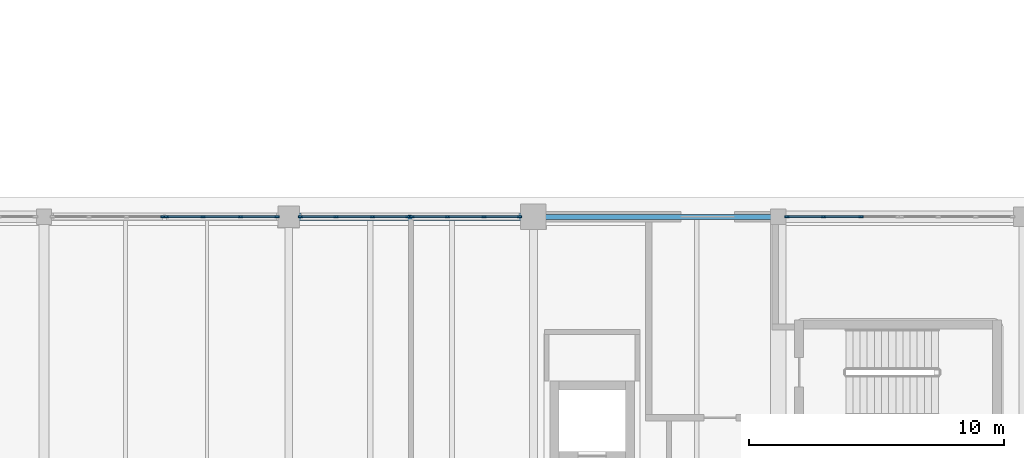
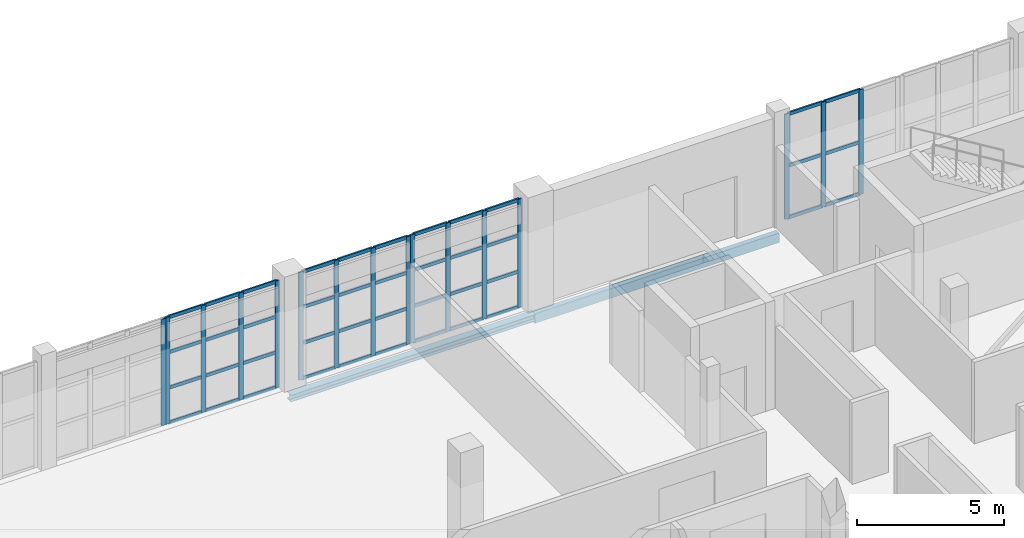
# One storey, part 26 of 121: 58 members, 2 beams, 5 elements without a shape of their own.
"""IFC4 building model written with IfcOpenShell, lengths in metres."""

from ifc_helpers import new_model, si_unit, direction, frame, origin, origin_2d, place, context, subcontext, project, spatial, rectangle, hollow_rectangle, i_section, extrude, material, layer, layer_set, material_profile, profile_set, type_object, element, aggregate, save


model = new_model("IFC4")

# Units and contexts
model_context = context("Model", 3, precision=1e-05, world=origin(), true_north=direction((0.0, 1.0)))
body_context = subcontext(model_context, "Body", "Model", "MODEL_VIEW")
ifc_project = project(units=[si_unit("LENGTHUNIT", "METRE"), si_unit("AREAUNIT", "SQUARE_METRE"), si_unit("VOLUMEUNIT", "CUBIC_METRE"), si_unit("PLANEANGLEUNIT", "RADIAN"), si_unit("MASSUNIT", "GRAM", prefix="KILO")], contexts=[model_context])

# Site, building, storey
site_placement = place(None, origin())
site = spatial("IfcSite", under=ifc_project, at=site_placement, CompositionType="ELEMENT")
building_placement = place(site_placement, origin())
building = spatial("IfcBuilding", under=site, at=building_placement, Name="Zereglee Splitstone Museum", CompositionType="ELEMENT")
storey_placement = place(building_placement, origin())
storey = spatial("IfcBuildingStorey", under=building, at=storey_placement, Name="L00", CompositionType="ELEMENT", Elevation=0.0)

# Curtain wall, members
ifc_material_1 = material(Name="Triple-glazed low-E argon glass and bronze-anodised aluminium", Category="aluminium")
ifc_layer_1 = layer(ifc_material_1, 0.179931640625)
ifc_layer_set_1 = layer_set([ifc_layer_1], Name="Triple-glazed low-E argon glass and bronze-anodised aluminium")
curtain_wall_type_1 = type_object("IfcCurtainWallType", Name="CW-0441-436", PredefinedType="USERDEFINED", material=ifc_layer_set_1)
curtain_wall_1_placement = place(storey_placement, origin())
curtain_wall_1 = element("IfcCurtainWall", 1, at=curtain_wall_1_placement, inside=storey, type_object=curtain_wall_type_1, Name="Glazed Curtain Wall CW-0441-436 (L00)", ObjectType="GLAZED CURTAIN WALL", PredefinedType="USERDEFINED")
ifc_material_2 = material(Name="Thermally broken bronze-anodised aluminium", Category="aluminium")
ifc_material_profile_1 = material_profile(ifc_material_2, rectangle(XDim=0.06494140625, YDim=0.179931640625, at=origin_2d()), Name="CW MULL 65x180")
ifc_profile_set_1 = profile_set([ifc_material_profile_1], Name="Thermally broken bronze-anodised aluminium")
member_type_1 = type_object("IfcMemberType", Name="CWM-01", PredefinedType="MULLION", material=ifc_profile_set_1)
member_1_placement = place(storey_placement, frame((129.2509765625, 50.39990234375, 0.0), z_axis=(0.0, 0.0, 1.0), x_axis=(0.0, -1.0, 0.0)))
member_1 = element("IfcMember", 2, at=member_1_placement, type_object=member_type_1, Name="CW-0441-436 mullion 2", PredefinedType="MULLION", context=body_context, shape_type="SweptSolid", body=[
    extrude(rectangle(XDim=0.06494140625, YDim=0.179931640625, at=origin_2d()), origin(), (0.0, 0.0, 1.0), 4.360107421875),
])
member_2_placement = place(storey_placement, frame((127.779541015625, 50.39990234375, 0.0), z_axis=(0.0, 0.0, 1.0), x_axis=(0.0, -1.0, 0.0)))
member_2 = element("IfcMember", 3, at=member_2_placement, type_object=member_type_1, Name="CW-0441-436 mullion 3", PredefinedType="MULLION", context=body_context, shape_type="SweptSolid", body=[
    extrude(rectangle(XDim=0.06494140625, YDim=0.179931640625, at=origin_2d()), origin(), (0.0, 0.0, 1.0), 4.360107421875),
])
member_3_placement = place(storey_placement, frame((126.340576171875, 50.39990234375, 0.0), z_axis=(0.0, 0.0, 1.0), x_axis=(0.0, -1.0, 0.0)))
member_3 = element("IfcMember", 4, at=member_3_placement, type_object=member_type_1, Name="CW-0441-436 mullion 4", PredefinedType="MULLION", context=body_context, shape_type="SweptSolid", body=[
    extrude(rectangle(XDim=0.06494140625, YDim=0.179931640625, at=origin_2d()), origin(), (0.0, 0.0, 1.0), 4.360107421875),
])

ifc_layer_2 = layer(ifc_material_1, 0.179931640625)
ifc_layer_set_2 = layer_set([ifc_layer_2], Name="Triple-glazed low-E argon glass and bronze-anodised aluminium")
curtain_wall_type_2 = type_object("IfcCurtainWallType", Name="CW-0429-450", PredefinedType="USERDEFINED", material=ifc_layer_set_2)
curtain_wall_2_placement = place(storey_placement, origin())
curtain_wall_2 = element("IfcCurtainWall", 5, at=curtain_wall_2_placement, inside=storey, type_object=curtain_wall_type_2, Name="Glazed Curtain Wall CW-0429-450 (L00)", ObjectType="GLAZED CURTAIN WALL", PredefinedType="USERDEFINED")
member_4_placement = place(storey_placement, frame((115.859619140625, 50.39990234375, 0.0), z_axis=(0.0, 0.0, 1.0), x_axis=(0.0, -1.0, 0.0)))
member_4 = element("IfcMember", 6, at=member_4_placement, type_object=member_type_1, Name="CW-0429-450 mullion 1", PredefinedType="MULLION", context=body_context, shape_type="SweptSolid", body=[
    extrude(rectangle(XDim=0.06494140625, YDim=0.179931640625, at=origin_2d()), origin(), (0.0, 0.0, 1.0), 4.5),
])
member_5_placement = place(storey_placement, frame((114.462158203125, 50.39990234375, 0.0), z_axis=(0.0, 0.0, 1.0), x_axis=(0.0, -1.0, 0.0)))
member_5 = element("IfcMember", 7, at=member_5_placement, type_object=member_type_1, Name="CW-0429-450 mullion 2", PredefinedType="MULLION", context=body_context, shape_type="SweptSolid", body=[
    extrude(rectangle(XDim=0.06494140625, YDim=0.179931640625, at=origin_2d()), origin(), (0.0, 0.0, 1.0), 4.5),
])
member_6_placement = place(storey_placement, frame((113.0322265625, 50.39990234375, 0.0), z_axis=(0.0, 0.0, 1.0), x_axis=(0.0, -1.0, 0.0)))
member_6 = element("IfcMember", 8, at=member_6_placement, type_object=member_type_1, Name="CW-0429-450 mullion 3", PredefinedType="MULLION", context=body_context, shape_type="SweptSolid", body=[
    extrude(rectangle(XDim=0.06494140625, YDim=0.179931640625, at=origin_2d()), origin(), (0.0, 0.0, 1.0), 4.5),
])
member_7_placement = place(storey_placement, frame((111.635009765625, 50.39990234375, 0.0), z_axis=(0.0, 0.0, 1.0), x_axis=(0.0, -1.0, 0.0)))
member_7 = element("IfcMember", 9, at=member_7_placement, type_object=member_type_1, Name="CW-0429-450 mullion 4", PredefinedType="MULLION", context=body_context, shape_type="SweptSolid", body=[
    extrude(rectangle(XDim=0.06494140625, YDim=0.179931640625, at=origin_2d()), origin(), (0.0, 0.0, 1.0), 4.5),
])

ifc_layer_3 = layer(ifc_material_1, 0.179931640625)
ifc_layer_set_3 = layer_set([ifc_layer_3], Name="Triple-glazed low-E argon glass and bronze-anodised aluminium")
curtain_wall_type_3 = type_object("IfcCurtainWallType", Name="CW-0429-448", PredefinedType="USERDEFINED", material=ifc_layer_set_3)
curtain_wall_3_placement = place(storey_placement, origin())
curtain_wall_3 = element("IfcCurtainWall", 10, at=curtain_wall_3_placement, inside=storey, type_object=curtain_wall_type_3, Name="Glazed Curtain Wall CW-0429-448 (L00)", ObjectType="GLAZED CURTAIN WALL", PredefinedType="USERDEFINED")
member_8_placement = place(storey_placement, frame((111.489990234375, 50.39990234375, 0.0), z_axis=(0.0, 0.0, 1.0), x_axis=(0.0, -1.0, 0.0)))
member_8 = element("IfcMember", 11, at=member_8_placement, type_object=member_type_1, Name="CW-0429-448 mullion 1", PredefinedType="MULLION", context=body_context, shape_type="SweptSolid", body=[
    extrude(rectangle(XDim=0.06494140625, YDim=0.179931640625, at=origin_2d()), origin(), (0.0, 0.0, 1.0), 4.47998046875),
])
member_9_placement = place(storey_placement, frame((110.0927734375, 50.39990234375, 0.0), z_axis=(0.0, 0.0, 1.0), x_axis=(0.0, -1.0, 0.0)))
member_9 = element("IfcMember", 12, at=member_9_placement, type_object=member_type_1, Name="CW-0429-448 mullion 2", PredefinedType="MULLION", context=body_context, shape_type="SweptSolid", body=[
    extrude(rectangle(XDim=0.06494140625, YDim=0.179931640625, at=origin_2d()), origin(), (0.0, 0.0, 1.0), 4.47998046875),
])
member_10_placement = place(storey_placement, frame((108.662841796875, 50.39990234375, 0.0), z_axis=(0.0, 0.0, 1.0), x_axis=(0.0, -1.0, 0.0)))
member_10 = element("IfcMember", 13, at=member_10_placement, type_object=member_type_1, Name="CW-0429-448 mullion 3", PredefinedType="MULLION", context=body_context, shape_type="SweptSolid", body=[
    extrude(rectangle(XDim=0.06494140625, YDim=0.179931640625, at=origin_2d()), origin(), (0.0, 0.0, 1.0), 4.47998046875),
])
member_11_placement = place(storey_placement, frame((107.265380859375, 50.39990234375, 0.0), z_axis=(0.0, 0.0, 1.0), x_axis=(0.0, -1.0, 0.0)))
member_11 = element("IfcMember", 14, at=member_11_placement, type_object=member_type_1, Name="CW-0429-448 mullion 4", PredefinedType="MULLION", context=body_context, shape_type="SweptSolid", body=[
    extrude(rectangle(XDim=0.06494140625, YDim=0.179931640625, at=origin_2d()), origin(), (0.0, 0.0, 1.0), 4.47998046875),
])

ifc_layer_4 = layer(ifc_material_1, 0.179931640625)
ifc_layer_set_4 = layer_set([ifc_layer_4], Name="Triple-glazed low-E argon glass and bronze-anodised aluminium")
curtain_wall_type_4 = type_object("IfcCurtainWallType", Name="CW-0439-444", PredefinedType="USERDEFINED", material=ifc_layer_set_4)
curtain_wall_4_placement = place(storey_placement, origin())
curtain_wall_4 = element("IfcCurtainWall", 15, at=curtain_wall_4_placement, inside=storey, type_object=curtain_wall_type_4, Name="Glazed Curtain Wall CW-0439-444 (L00)", ObjectType="GLAZED CURTAIN WALL", PredefinedType="USERDEFINED")
member_12_placement = place(storey_placement, frame((106.33447265625, 50.39990234375, 0.0), z_axis=(0.0, 0.0, 1.0), x_axis=(0.0, -1.0, 0.0)))
member_12 = element("IfcMember", 16, at=member_12_placement, type_object=member_type_1, Name="CW-0439-444 mullion 1", PredefinedType="MULLION", context=body_context, shape_type="SweptSolid", body=[
    extrude(rectangle(XDim=0.06494140625, YDim=0.179931640625, at=origin_2d()), origin(), (0.0, 0.0, 1.0), 4.43994140625),
])
member_13_placement = place(storey_placement, frame((104.90380859375, 50.39990234375, 0.0), z_axis=(0.0, 0.0, 1.0), x_axis=(0.0, -1.0, 0.0)))
member_13 = element("IfcMember", 17, at=member_13_placement, type_object=member_type_1, Name="CW-0439-444 mullion 2", PredefinedType="MULLION", context=body_context, shape_type="SweptSolid", body=[
    extrude(rectangle(XDim=0.06494140625, YDim=0.179931640625, at=origin_2d()), origin(), (0.0, 0.0, 1.0), 4.43994140625),
])
member_14_placement = place(storey_placement, frame((103.440673828125, 50.39990234375, 0.0), z_axis=(0.0, 0.0, 1.0), x_axis=(0.0, -1.0, 0.0)))
member_14 = element("IfcMember", 18, at=member_14_placement, type_object=member_type_1, Name="CW-0439-444 mullion 3", PredefinedType="MULLION", context=body_context, shape_type="SweptSolid", body=[
    extrude(rectangle(XDim=0.06494140625, YDim=0.179931640625, at=origin_2d()), origin(), (0.0, 0.0, 1.0), 4.43994140625),
])
member_15_placement = place(storey_placement, frame((102.010009765625, 50.39990234375, 0.0), z_axis=(0.0, 0.0, 1.0), x_axis=(0.0, -1.0, 0.0)))
member_15 = element("IfcMember", 19, at=member_15_placement, type_object=member_type_1, Name="CW-0439-444 mullion 4", PredefinedType="MULLION", context=body_context, shape_type="SweptSolid", body=[
    extrude(rectangle(XDim=0.06494140625, YDim=0.179931640625, at=origin_2d()), origin(), (0.0, 0.0, 1.0), 4.43994140625),
])

# Curtain wall, member
ifc_layer_5 = layer(ifc_material_1, 0.179931640625)
ifc_layer_set_5 = layer_set([ifc_layer_5], Name="Triple-glazed low-E argon glass and bronze-anodised aluminium")
curtain_wall_type_5 = type_object("IfcCurtainWallType", Name="CW-0439-442", PredefinedType="USERDEFINED", material=ifc_layer_set_5)
curtain_wall_5_placement = place(storey_placement, origin())
curtain_wall_5 = element("IfcCurtainWall", 20, at=curtain_wall_5_placement, inside=storey, type_object=curtain_wall_type_5, Name="Glazed Curtain Wall CW-0439-442 (L00)", ObjectType="GLAZED CURTAIN WALL", PredefinedType="USERDEFINED")
member_16_placement = place(storey_placement, frame((101.864990234375, 50.39990234375, 0.0), z_axis=(0.0, 0.0, 1.0), x_axis=(0.0, -1.0, 0.0)))
member_16 = element("IfcMember", 21, at=member_16_placement, type_object=member_type_1, Name="CW-0439-442 mullion 1", PredefinedType="MULLION", context=body_context, shape_type="SweptSolid", body=[
    extrude(rectangle(XDim=0.06494140625, YDim=0.179931640625, at=origin_2d()), origin(), (0.0, 0.0, 1.0), 4.419921875),
])
aggregate(curtain_wall_5, [member_16])

# Member
ifc_material_profile_2 = material_profile(ifc_material_2, rectangle(XDim=0.06494140625, YDim=0.139892578125, at=origin_2d()), Name="CW TRAN 65x140")
ifc_profile_set_2 = profile_set([ifc_material_profile_2], Name="Thermally broken bronze-anodised aluminium")
member_type_2 = type_object("IfcMemberType", Name="CWT-01", PredefinedType="USERDEFINED", material=ifc_profile_set_2)
member_17_placement = place(storey_placement, frame((129.218505859375, 50.39990234375, 0.032470703125), z_axis=(-1.0, 0.0, 0.0), x_axis=(0.0, -1.0, 0.0)))
member_17 = element("IfcMember", 22, at=member_17_placement, type_object=member_type_2, Name="CW-0441-436 transom 2.1", ObjectType="TRANSOM", PredefinedType="USERDEFINED", context=body_context, shape_type="SweptSolid", body=[
    extrude(rectangle(XDim=0.06494140625, YDim=0.139892578125, at=origin_2d()), origin(), (0.0, 0.0, 1.0), 1.406494140625),
])

member_18_placement = place(storey_placement, frame((129.218505859375, 50.39990234375, 2.179931640625), z_axis=(-1.0, 0.0, 0.0), x_axis=(0.0, -1.0, 0.0)))
member_18 = element("IfcMember", 23, at=member_18_placement, type_object=member_type_2, Name="CW-0441-436 transom 2.2", ObjectType="TRANSOM", PredefinedType="USERDEFINED", context=body_context, shape_type="SweptSolid", body=[
    extrude(rectangle(XDim=0.06494140625, YDim=0.139892578125, at=origin_2d()), origin(), (0.0, 0.0, 1.0), 1.406494140625),
])

member_19_placement = place(storey_placement, frame((129.218505859375, 50.39990234375, 4.327392578125), z_axis=(-1.0, 0.0, 0.0), x_axis=(0.0, -1.0, 0.0)))
member_19 = element("IfcMember", 24, at=member_19_placement, type_object=member_type_2, Name="CW-0441-436 transom 2.3", ObjectType="TRANSOM", PredefinedType="USERDEFINED", context=body_context, shape_type="SweptSolid", body=[
    extrude(rectangle(XDim=0.06494140625, YDim=0.139892578125, at=origin_2d()), origin(), (0.0, 0.0, 1.0), 1.406494140625),
])

member_20_placement = place(storey_placement, frame((127.7470703125, 50.39990234375, 0.032470703125), z_axis=(-1.0, 0.0, 0.0), x_axis=(0.0, -1.0, 0.0)))
member_20 = element("IfcMember", 25, at=member_20_placement, type_object=member_type_2, Name="CW-0441-436 transom 3.1", ObjectType="TRANSOM", PredefinedType="USERDEFINED", context=body_context, shape_type="SweptSolid", body=[
    extrude(rectangle(XDim=0.06494140625, YDim=0.139892578125, at=origin_2d()), origin(), (0.0, 0.0, 1.0), 1.3740234375),
])

member_21_placement = place(storey_placement, frame((127.7470703125, 50.39990234375, 2.179931640625), z_axis=(-1.0, 0.0, 0.0), x_axis=(0.0, -1.0, 0.0)))
member_21 = element("IfcMember", 26, at=member_21_placement, type_object=member_type_2, Name="CW-0441-436 transom 3.2", ObjectType="TRANSOM", PredefinedType="USERDEFINED", context=body_context, shape_type="SweptSolid", body=[
    extrude(rectangle(XDim=0.06494140625, YDim=0.139892578125, at=origin_2d()), origin(), (0.0, 0.0, 1.0), 1.3740234375),
])

member_22_placement = place(storey_placement, frame((127.7470703125, 50.39990234375, 4.327392578125), z_axis=(-1.0, 0.0, 0.0), x_axis=(0.0, -1.0, 0.0)))
member_22 = element("IfcMember", 27, at=member_22_placement, type_object=member_type_2, Name="CW-0441-436 transom 3.3", ObjectType="TRANSOM", PredefinedType="USERDEFINED", context=body_context, shape_type="SweptSolid", body=[
    extrude(rectangle(XDim=0.06494140625, YDim=0.139892578125, at=origin_2d()), origin(), (0.0, 0.0, 1.0), 1.3740234375),
])

aggregate(curtain_wall_1, [member_1, member_2, member_3, member_17, member_18, member_19, member_20, member_21, member_22])

member_23_placement = place(storey_placement, frame((115.826904296875, 50.39990234375, 0.032470703125), z_axis=(-1.0, 0.0, 0.0), x_axis=(0.0, -1.0, 0.0)))
member_23 = element("IfcMember", 28, at=member_23_placement, type_object=member_type_2, Name="CW-0429-450 transom 1.1", ObjectType="TRANSOM", PredefinedType="USERDEFINED", context=body_context, shape_type="SweptSolid", body=[
    extrude(rectangle(XDim=0.06494140625, YDim=0.139892578125, at=origin_2d()), origin(), (0.0, 0.0, 1.0), 1.332275390625),
])

member_24_placement = place(storey_placement, frame((115.826904296875, 50.39990234375, 1.5), z_axis=(-1.0, 0.0, 0.0), x_axis=(0.0, -1.0, 0.0)))
member_24 = element("IfcMember", 29, at=member_24_placement, type_object=member_type_2, Name="CW-0429-450 transom 1.2", ObjectType="TRANSOM", PredefinedType="USERDEFINED", context=body_context, shape_type="SweptSolid", body=[
    extrude(rectangle(XDim=0.06494140625, YDim=0.139892578125, at=origin_2d()), origin(), (0.0, 0.0, 1.0), 1.332275390625),
])

member_25_placement = place(storey_placement, frame((115.826904296875, 50.39990234375, 3.0), z_axis=(-1.0, 0.0, 0.0), x_axis=(0.0, -1.0, 0.0)))
member_25 = element("IfcMember", 30, at=member_25_placement, type_object=member_type_2, Name="CW-0429-450 transom 1.3", ObjectType="TRANSOM", PredefinedType="USERDEFINED", context=body_context, shape_type="SweptSolid", body=[
    extrude(rectangle(XDim=0.06494140625, YDim=0.139892578125, at=origin_2d()), origin(), (0.0, 0.0, 1.0), 1.332275390625),
])

member_26_placement = place(storey_placement, frame((115.826904296875, 50.39990234375, 4.467529296875), z_axis=(-1.0, 0.0, 0.0), x_axis=(0.0, -1.0, 0.0)))
member_26 = element("IfcMember", 31, at=member_26_placement, type_object=member_type_2, Name="CW-0429-450 transom 1.4", ObjectType="TRANSOM", PredefinedType="USERDEFINED", context=body_context, shape_type="SweptSolid", body=[
    extrude(rectangle(XDim=0.06494140625, YDim=0.139892578125, at=origin_2d()), origin(), (0.0, 0.0, 1.0), 1.332275390625),
])

member_27_placement = place(storey_placement, frame((114.4296875, 50.39990234375, 0.032470703125), z_axis=(-1.0, 0.0, 0.0), x_axis=(0.0, -1.0, 0.0)))
member_27 = element("IfcMember", 32, at=member_27_placement, type_object=member_type_2, Name="CW-0429-450 transom 2.1", ObjectType="TRANSOM", PredefinedType="USERDEFINED", context=body_context, shape_type="SweptSolid", body=[
    extrude(rectangle(XDim=0.06494140625, YDim=0.139892578125, at=origin_2d()), origin(), (0.0, 0.0, 1.0), 1.36474609375),
])

member_28_placement = place(storey_placement, frame((114.4296875, 50.39990234375, 1.5), z_axis=(-1.0, 0.0, 0.0), x_axis=(0.0, -1.0, 0.0)))
member_28 = element("IfcMember", 33, at=member_28_placement, type_object=member_type_2, Name="CW-0429-450 transom 2.2", ObjectType="TRANSOM", PredefinedType="USERDEFINED", context=body_context, shape_type="SweptSolid", body=[
    extrude(rectangle(XDim=0.06494140625, YDim=0.139892578125, at=origin_2d()), origin(), (0.0, 0.0, 1.0), 1.36474609375),
])

member_29_placement = place(storey_placement, frame((114.4296875, 50.39990234375, 3.0), z_axis=(-1.0, 0.0, 0.0), x_axis=(0.0, -1.0, 0.0)))
member_29 = element("IfcMember", 34, at=member_29_placement, type_object=member_type_2, Name="CW-0429-450 transom 2.3", ObjectType="TRANSOM", PredefinedType="USERDEFINED", context=body_context, shape_type="SweptSolid", body=[
    extrude(rectangle(XDim=0.06494140625, YDim=0.139892578125, at=origin_2d()), origin(), (0.0, 0.0, 1.0), 1.36474609375),
])

member_30_placement = place(storey_placement, frame((114.4296875, 50.39990234375, 4.467529296875), z_axis=(-1.0, 0.0, 0.0), x_axis=(0.0, -1.0, 0.0)))
member_30 = element("IfcMember", 35, at=member_30_placement, type_object=member_type_2, Name="CW-0429-450 transom 2.4", ObjectType="TRANSOM", PredefinedType="USERDEFINED", context=body_context, shape_type="SweptSolid", body=[
    extrude(rectangle(XDim=0.06494140625, YDim=0.139892578125, at=origin_2d()), origin(), (0.0, 0.0, 1.0), 1.36474609375),
])

member_31_placement = place(storey_placement, frame((112.999755859375, 50.39990234375, 0.032470703125), z_axis=(-1.0, 0.0, 0.0), x_axis=(0.0, -1.0, 0.0)))
member_31 = element("IfcMember", 36, at=member_31_placement, type_object=member_type_2, Name="CW-0429-450 transom 3.1", ObjectType="TRANSOM", PredefinedType="USERDEFINED", context=body_context, shape_type="SweptSolid", body=[
    extrude(rectangle(XDim=0.06494140625, YDim=0.139892578125, at=origin_2d()), origin(), (0.0, 0.0, 1.0), 1.332275390625),
])

member_32_placement = place(storey_placement, frame((112.999755859375, 50.39990234375, 1.5), z_axis=(-1.0, 0.0, 0.0), x_axis=(0.0, -1.0, 0.0)))
member_32 = element("IfcMember", 37, at=member_32_placement, type_object=member_type_2, Name="CW-0429-450 transom 3.2", ObjectType="TRANSOM", PredefinedType="USERDEFINED", context=body_context, shape_type="SweptSolid", body=[
    extrude(rectangle(XDim=0.06494140625, YDim=0.139892578125, at=origin_2d()), origin(), (0.0, 0.0, 1.0), 1.332275390625),
])

member_33_placement = place(storey_placement, frame((112.999755859375, 50.39990234375, 3.0), z_axis=(-1.0, 0.0, 0.0), x_axis=(0.0, -1.0, 0.0)))
member_33 = element("IfcMember", 38, at=member_33_placement, type_object=member_type_2, Name="CW-0429-450 transom 3.3", ObjectType="TRANSOM", PredefinedType="USERDEFINED", context=body_context, shape_type="SweptSolid", body=[
    extrude(rectangle(XDim=0.06494140625, YDim=0.139892578125, at=origin_2d()), origin(), (0.0, 0.0, 1.0), 1.332275390625),
])

member_34_placement = place(storey_placement, frame((112.999755859375, 50.39990234375, 4.467529296875), z_axis=(-1.0, 0.0, 0.0), x_axis=(0.0, -1.0, 0.0)))
member_34 = element("IfcMember", 39, at=member_34_placement, type_object=member_type_2, Name="CW-0429-450 transom 3.4", ObjectType="TRANSOM", PredefinedType="USERDEFINED", context=body_context, shape_type="SweptSolid", body=[
    extrude(rectangle(XDim=0.06494140625, YDim=0.139892578125, at=origin_2d()), origin(), (0.0, 0.0, 1.0), 1.332275390625),
])

aggregate(curtain_wall_2, [member_4, member_5, member_6, member_7, member_23, member_24, member_25, member_26, member_27, member_28, member_29, member_30, member_31, member_32, member_33, member_34])

member_35_placement = place(storey_placement, frame((111.45751953125, 50.39990234375, 0.032470703125), z_axis=(-1.0, 0.0, 0.0), x_axis=(0.0, -1.0, 0.0)))
member_35 = element("IfcMember", 40, at=member_35_placement, type_object=member_type_2, Name="CW-0429-448 transom 1.1", ObjectType="TRANSOM", PredefinedType="USERDEFINED", context=body_context, shape_type="SweptSolid", body=[
    extrude(rectangle(XDim=0.06494140625, YDim=0.139892578125, at=origin_2d()), origin(), (0.0, 0.0, 1.0), 1.332275390625),
])

member_36_placement = place(storey_placement, frame((111.45751953125, 50.39990234375, 1.493408203125), z_axis=(-1.0, 0.0, 0.0), x_axis=(0.0, -1.0, 0.0)))
member_36 = element("IfcMember", 41, at=member_36_placement, type_object=member_type_2, Name="CW-0429-448 transom 1.2", ObjectType="TRANSOM", PredefinedType="USERDEFINED", context=body_context, shape_type="SweptSolid", body=[
    extrude(rectangle(XDim=0.06494140625, YDim=0.139892578125, at=origin_2d()), origin(), (0.0, 0.0, 1.0), 1.332275390625),
])

member_37_placement = place(storey_placement, frame((111.45751953125, 50.39990234375, 2.98681640625), z_axis=(-1.0, 0.0, 0.0), x_axis=(0.0, -1.0, 0.0)))
member_37 = element("IfcMember", 42, at=member_37_placement, type_object=member_type_2, Name="CW-0429-448 transom 1.3", ObjectType="TRANSOM", PredefinedType="USERDEFINED", context=body_context, shape_type="SweptSolid", body=[
    extrude(rectangle(XDim=0.06494140625, YDim=0.139892578125, at=origin_2d()), origin(), (0.0, 0.0, 1.0), 1.332275390625),
])

member_38_placement = place(storey_placement, frame((111.45751953125, 50.39990234375, 4.447509765625), z_axis=(-1.0, 0.0, 0.0), x_axis=(0.0, -1.0, 0.0)))
member_38 = element("IfcMember", 43, at=member_38_placement, type_object=member_type_2, Name="CW-0429-448 transom 1.4", ObjectType="TRANSOM", PredefinedType="USERDEFINED", context=body_context, shape_type="SweptSolid", body=[
    extrude(rectangle(XDim=0.06494140625, YDim=0.139892578125, at=origin_2d()), origin(), (0.0, 0.0, 1.0), 1.332275390625),
])

member_39_placement = place(storey_placement, frame((110.06005859375, 50.39990234375, 0.032470703125), z_axis=(-1.0, 0.0, 0.0), x_axis=(0.0, -1.0, 0.0)))
member_39 = element("IfcMember", 44, at=member_39_placement, type_object=member_type_2, Name="CW-0429-448 transom 2.1", ObjectType="TRANSOM", PredefinedType="USERDEFINED", context=body_context, shape_type="SweptSolid", body=[
    extrude(rectangle(XDim=0.06494140625, YDim=0.139892578125, at=origin_2d()), origin(), (0.0, 0.0, 1.0), 1.36474609375),
])

member_40_placement = place(storey_placement, frame((110.06005859375, 50.39990234375, 1.493408203125), z_axis=(-1.0, 0.0, 0.0), x_axis=(0.0, -1.0, 0.0)))
member_40 = element("IfcMember", 45, at=member_40_placement, type_object=member_type_2, Name="CW-0429-448 transom 2.2", ObjectType="TRANSOM", PredefinedType="USERDEFINED", context=body_context, shape_type="SweptSolid", body=[
    extrude(rectangle(XDim=0.06494140625, YDim=0.139892578125, at=origin_2d()), origin(), (0.0, 0.0, 1.0), 1.36474609375),
])

member_41_placement = place(storey_placement, frame((110.06005859375, 50.39990234375, 2.98681640625), z_axis=(-1.0, 0.0, 0.0), x_axis=(0.0, -1.0, 0.0)))
member_41 = element("IfcMember", 46, at=member_41_placement, type_object=member_type_2, Name="CW-0429-448 transom 2.3", ObjectType="TRANSOM", PredefinedType="USERDEFINED", context=body_context, shape_type="SweptSolid", body=[
    extrude(rectangle(XDim=0.06494140625, YDim=0.139892578125, at=origin_2d()), origin(), (0.0, 0.0, 1.0), 1.36474609375),
])

member_42_placement = place(storey_placement, frame((110.06005859375, 50.39990234375, 4.447509765625), z_axis=(-1.0, 0.0, 0.0), x_axis=(0.0, -1.0, 0.0)))
member_42 = element("IfcMember", 47, at=member_42_placement, type_object=member_type_2, Name="CW-0429-448 transom 2.4", ObjectType="TRANSOM", PredefinedType="USERDEFINED", context=body_context, shape_type="SweptSolid", body=[
    extrude(rectangle(XDim=0.06494140625, YDim=0.139892578125, at=origin_2d()), origin(), (0.0, 0.0, 1.0), 1.36474609375),
])

member_43_placement = place(storey_placement, frame((108.63037109375, 50.39990234375, 0.032470703125), z_axis=(-1.0, 0.0, 0.0), x_axis=(0.0, -1.0, 0.0)))
member_43 = element("IfcMember", 48, at=member_43_placement, type_object=member_type_2, Name="CW-0429-448 transom 3.1", ObjectType="TRANSOM", PredefinedType="USERDEFINED", context=body_context, shape_type="SweptSolid", body=[
    extrude(rectangle(XDim=0.06494140625, YDim=0.139892578125, at=origin_2d()), origin(), (0.0, 0.0, 1.0), 1.332275390625),
])

member_44_placement = place(storey_placement, frame((108.63037109375, 50.39990234375, 1.493408203125), z_axis=(-1.0, 0.0, 0.0), x_axis=(0.0, -1.0, 0.0)))
member_44 = element("IfcMember", 49, at=member_44_placement, type_object=member_type_2, Name="CW-0429-448 transom 3.2", ObjectType="TRANSOM", PredefinedType="USERDEFINED", context=body_context, shape_type="SweptSolid", body=[
    extrude(rectangle(XDim=0.06494140625, YDim=0.139892578125, at=origin_2d()), origin(), (0.0, 0.0, 1.0), 1.332275390625),
])

member_45_placement = place(storey_placement, frame((108.63037109375, 50.39990234375, 2.98681640625), z_axis=(-1.0, 0.0, 0.0), x_axis=(0.0, -1.0, 0.0)))
member_45 = element("IfcMember", 50, at=member_45_placement, type_object=member_type_2, Name="CW-0429-448 transom 3.3", ObjectType="TRANSOM", PredefinedType="USERDEFINED", context=body_context, shape_type="SweptSolid", body=[
    extrude(rectangle(XDim=0.06494140625, YDim=0.139892578125, at=origin_2d()), origin(), (0.0, 0.0, 1.0), 1.332275390625),
])

member_46_placement = place(storey_placement, frame((108.63037109375, 50.39990234375, 4.447509765625), z_axis=(-1.0, 0.0, 0.0), x_axis=(0.0, -1.0, 0.0)))
member_46 = element("IfcMember", 51, at=member_46_placement, type_object=member_type_2, Name="CW-0429-448 transom 3.4", ObjectType="TRANSOM", PredefinedType="USERDEFINED", context=body_context, shape_type="SweptSolid", body=[
    extrude(rectangle(XDim=0.06494140625, YDim=0.139892578125, at=origin_2d()), origin(), (0.0, 0.0, 1.0), 1.332275390625),
])

aggregate(curtain_wall_3, [member_8, member_9, member_10, member_11, member_35, member_36, member_37, member_38, member_39, member_40, member_41, member_42, member_43, member_44, member_45, member_46])

member_47_placement = place(storey_placement, frame((106.302001953125, 50.39990234375, 0.032470703125), z_axis=(-1.0, 0.0, 0.0), x_axis=(0.0, -1.0, 0.0)))
member_47 = element("IfcMember", 52, at=member_47_placement, type_object=member_type_2, Name="CW-0439-444 transom 1.1", ObjectType="TRANSOM", PredefinedType="USERDEFINED", context=body_context, shape_type="SweptSolid", body=[
    extrude(rectangle(XDim=0.06494140625, YDim=0.139892578125, at=origin_2d()), origin(), (0.0, 0.0, 1.0), 1.36572265625),
])

member_48_placement = place(storey_placement, frame((106.302001953125, 50.39990234375, 1.47998046875), z_axis=(-1.0, 0.0, 0.0), x_axis=(0.0, -1.0, 0.0)))
member_48 = element("IfcMember", 53, at=member_48_placement, type_object=member_type_2, Name="CW-0439-444 transom 1.2", ObjectType="TRANSOM", PredefinedType="USERDEFINED", context=body_context, shape_type="SweptSolid", body=[
    extrude(rectangle(XDim=0.06494140625, YDim=0.139892578125, at=origin_2d()), origin(), (0.0, 0.0, 1.0), 1.36572265625),
])

member_49_placement = place(storey_placement, frame((106.302001953125, 50.39990234375, 2.9599609375), z_axis=(-1.0, 0.0, 0.0), x_axis=(0.0, -1.0, 0.0)))
member_49 = element("IfcMember", 54, at=member_49_placement, type_object=member_type_2, Name="CW-0439-444 transom 1.3", ObjectType="TRANSOM", PredefinedType="USERDEFINED", context=body_context, shape_type="SweptSolid", body=[
    extrude(rectangle(XDim=0.06494140625, YDim=0.139892578125, at=origin_2d()), origin(), (0.0, 0.0, 1.0), 1.36572265625),
])

member_50_placement = place(storey_placement, frame((106.302001953125, 50.39990234375, 4.407470703125), z_axis=(-1.0, 0.0, 0.0), x_axis=(0.0, -1.0, 0.0)))
member_50 = element("IfcMember", 55, at=member_50_placement, type_object=member_type_2, Name="CW-0439-444 transom 1.4", ObjectType="TRANSOM", PredefinedType="USERDEFINED", context=body_context, shape_type="SweptSolid", body=[
    extrude(rectangle(XDim=0.06494140625, YDim=0.139892578125, at=origin_2d()), origin(), (0.0, 0.0, 1.0), 1.36572265625),
])

member_51_placement = place(storey_placement, frame((104.871337890625, 50.39990234375, 0.032470703125), z_axis=(-1.0, 0.0, 0.0), x_axis=(0.0, -1.0, 0.0)))
member_51 = element("IfcMember", 56, at=member_51_placement, type_object=member_type_2, Name="CW-0439-444 transom 2.1", ObjectType="TRANSOM", PredefinedType="USERDEFINED", context=body_context, shape_type="SweptSolid", body=[
    extrude(rectangle(XDim=0.06494140625, YDim=0.139892578125, at=origin_2d()), origin(), (0.0, 0.0, 1.0), 1.398193359375),
])

member_52_placement = place(storey_placement, frame((104.871337890625, 50.39990234375, 1.47998046875), z_axis=(-1.0, 0.0, 0.0), x_axis=(0.0, -1.0, 0.0)))
member_52 = element("IfcMember", 57, at=member_52_placement, type_object=member_type_2, Name="CW-0439-444 transom 2.2", ObjectType="TRANSOM", PredefinedType="USERDEFINED", context=body_context, shape_type="SweptSolid", body=[
    extrude(rectangle(XDim=0.06494140625, YDim=0.139892578125, at=origin_2d()), origin(), (0.0, 0.0, 1.0), 1.398193359375),
])

member_53_placement = place(storey_placement, frame((104.871337890625, 50.39990234375, 2.9599609375), z_axis=(-1.0, 0.0, 0.0), x_axis=(0.0, -1.0, 0.0)))
member_53 = element("IfcMember", 58, at=member_53_placement, type_object=member_type_2, Name="CW-0439-444 transom 2.3", ObjectType="TRANSOM", PredefinedType="USERDEFINED", context=body_context, shape_type="SweptSolid", body=[
    extrude(rectangle(XDim=0.06494140625, YDim=0.139892578125, at=origin_2d()), origin(), (0.0, 0.0, 1.0), 1.398193359375),
])

member_54_placement = place(storey_placement, frame((104.871337890625, 50.39990234375, 4.407470703125), z_axis=(-1.0, 0.0, 0.0), x_axis=(0.0, -1.0, 0.0)))
member_54 = element("IfcMember", 59, at=member_54_placement, type_object=member_type_2, Name="CW-0439-444 transom 2.4", ObjectType="TRANSOM", PredefinedType="USERDEFINED", context=body_context, shape_type="SweptSolid", body=[
    extrude(rectangle(XDim=0.06494140625, YDim=0.139892578125, at=origin_2d()), origin(), (0.0, 0.0, 1.0), 1.398193359375),
])

member_55_placement = place(storey_placement, frame((103.408203125, 50.39990234375, 0.032470703125), z_axis=(-1.0, 0.0, 0.0), x_axis=(0.0, -1.0, 0.0)))
member_55 = element("IfcMember", 60, at=member_55_placement, type_object=member_type_2, Name="CW-0439-444 transom 3.1", ObjectType="TRANSOM", PredefinedType="USERDEFINED", context=body_context, shape_type="SweptSolid", body=[
    extrude(rectangle(XDim=0.06494140625, YDim=0.139892578125, at=origin_2d()), origin(), (0.0, 0.0, 1.0), 1.36572265625),
])

member_56_placement = place(storey_placement, frame((103.408203125, 50.39990234375, 1.47998046875), z_axis=(-1.0, 0.0, 0.0), x_axis=(0.0, -1.0, 0.0)))
member_56 = element("IfcMember", 61, at=member_56_placement, type_object=member_type_2, Name="CW-0439-444 transom 3.2", ObjectType="TRANSOM", PredefinedType="USERDEFINED", context=body_context, shape_type="SweptSolid", body=[
    extrude(rectangle(XDim=0.06494140625, YDim=0.139892578125, at=origin_2d()), origin(), (0.0, 0.0, 1.0), 1.36572265625),
])

member_57_placement = place(storey_placement, frame((103.408203125, 50.39990234375, 2.9599609375), z_axis=(-1.0, 0.0, 0.0), x_axis=(0.0, -1.0, 0.0)))
member_57 = element("IfcMember", 62, at=member_57_placement, type_object=member_type_2, Name="CW-0439-444 transom 3.3", ObjectType="TRANSOM", PredefinedType="USERDEFINED", context=body_context, shape_type="SweptSolid", body=[
    extrude(rectangle(XDim=0.06494140625, YDim=0.139892578125, at=origin_2d()), origin(), (0.0, 0.0, 1.0), 1.36572265625),
])

member_58_placement = place(storey_placement, frame((103.408203125, 50.39990234375, 4.407470703125), z_axis=(-1.0, 0.0, 0.0), x_axis=(0.0, -1.0, 0.0)))
member_58 = element("IfcMember", 63, at=member_58_placement, type_object=member_type_2, Name="CW-0439-444 transom 3.4", ObjectType="TRANSOM", PredefinedType="USERDEFINED", context=body_context, shape_type="SweptSolid", body=[
    extrude(rectangle(XDim=0.06494140625, YDim=0.139892578125, at=origin_2d()), origin(), (0.0, 0.0, 1.0), 1.36572265625),
])

aggregate(curtain_wall_4, [member_12, member_13, member_14, member_15, member_47, member_48, member_49, member_50, member_51, member_52, member_53, member_54, member_55, member_56, member_57, member_58])

# Beams
ifc_material_3 = material(Name="Steel S355J2", Category="steel")
ifc_material_profile_3 = material_profile(ifc_material_3, i_section(OverallWidth=0.280029296875, OverallDepth=0.280029296875, WebThickness=0.010498046875, FlangeThickness=0.01806640625, FilletRadius=0.02392578125, at=origin_2d()), Name="HE 280 B")
ifc_profile_set_3 = profile_set([ifc_material_profile_3], Name="Steel S355J2")
beam_type_1 = type_object("IfcBeamType", Name="SP-03", PredefinedType="SPANDREL", material=ifc_profile_set_3)
beam_1_placement = place(storey_placement, frame((106.800048828125, 50.39990234375, -0.56005859375), z_axis=(1.0, 0.0, 0.0), x_axis=(0.0, 1.0, 0.0)))
element("IfcBeam", 64, at=beam_1_placement, inside=storey, type_object=beam_type_1, Name="Primary Girder L00 F (106.8-116.4)", PredefinedType="SPANDREL", context=body_context, shape_type="SweptSolid", body=[
    extrude(i_section(OverallWidth=0.280029296875, OverallDepth=0.280029296875, WebThickness=0.010498046875, FlangeThickness=0.01806640625, FilletRadius=0.02392578125, at=origin_2d()), origin(), (0.0, 0.0, 1.0), 9.599853515625),
])
ifc_material_4 = material(Name="Steel S355J2H", Category="steel")
ifc_material_profile_4 = material_profile(ifc_material_4, hollow_rectangle(XDim=0.199951171875, YDim=0.39990234375, WallThickness=0.01611328125, at=origin_2d()), Name="RHS 400x200x16")
ifc_profile_set_4 = profile_set([ifc_material_profile_4], Name="Steel S355J2H")
beam_type_2 = type_object("IfcBeamType", Name="SP-04", PredefinedType="SPANDREL", material=ifc_profile_set_4)
beam_2_placement = place(storey_placement, frame((116.39990234375, 50.39990234375, -0.6201171875), z_axis=(1.0, 0.0, 0.0), x_axis=(0.0, 1.0, 0.0)))
element("IfcBeam", 65, at=beam_2_placement, inside=storey, type_object=beam_type_2, Name="Primary Girder L00 F (116.4-126.0)", PredefinedType="SPANDREL", context=body_context, shape_type="SweptSolid", body=[
    extrude(hollow_rectangle(XDim=0.199951171875, YDim=0.39990234375, WallThickness=0.01611328125, at=origin_2d()), origin(), (0.0, 0.0, 1.0), 9.60009765625),
])

save(model, "model.ifc")
